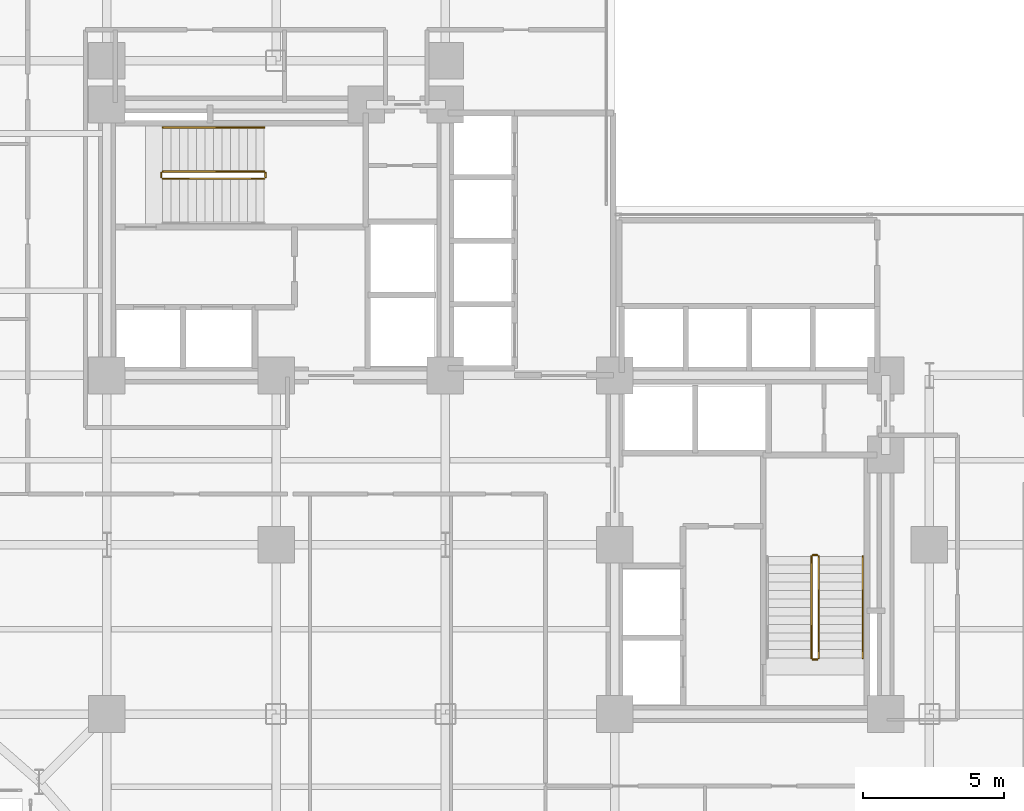
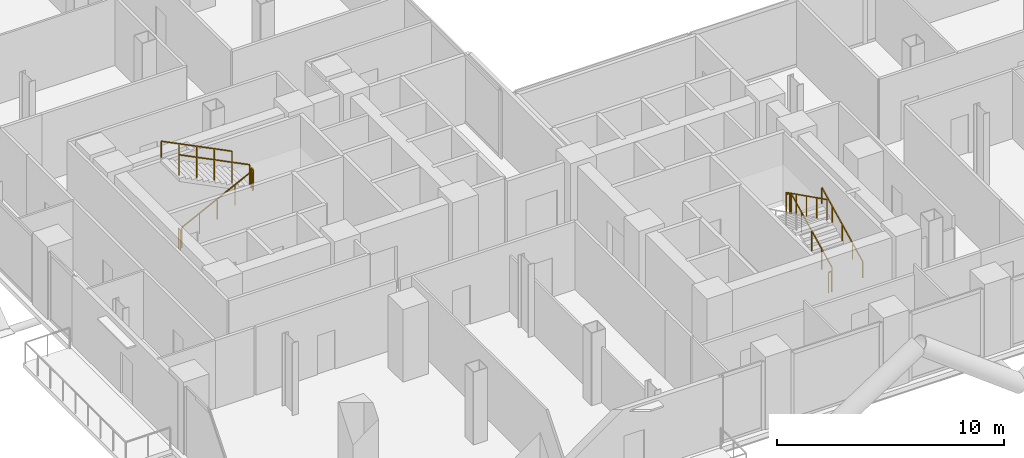
# One storey, part 25 of 25: 10 railings.
"""IFC4 building model written with IfcOpenShell, lengths in metres."""

from ifc_helpers import new_model, si_unit, direction, frame, origin, origin_2d, place, context, subcontext, project, spatial, rectangle, extrude, material, type_object, element, save


model = new_model("IFC4")

# Units and contexts
model_context = context("Model", 3, precision=1e-05, world=origin(), true_north=direction((0.0, 1.0)))
body_context = subcontext(model_context, "Body", "Model", "MODEL_VIEW")
ifc_project = project(units=[si_unit("LENGTHUNIT", "METRE"), si_unit("AREAUNIT", "SQUARE_METRE"), si_unit("VOLUMEUNIT", "CUBIC_METRE"), si_unit("PLANEANGLEUNIT", "RADIAN"), si_unit("MASSUNIT", "GRAM", prefix="KILO"), si_unit("THERMODYNAMICTEMPERATUREUNIT", "KELVIN"), si_unit("POWERUNIT", "WATT")], contexts=[model_context])

# Site, building, storey
site_placement = place(None, origin())
site = spatial("IfcSite", under=ifc_project, at=site_placement, CompositionType="ELEMENT")
building_placement = place(site_placement, origin())
building = spatial("IfcBuilding", under=site, at=building_placement, Name="Svarakhadi Broadcast Tower", CompositionType="ELEMENT")
storey_placement = place(building_placement, frame((0.0, 0.0, 36.300048828125)))
storey = spatial("IfcBuildingStorey", under=building, at=storey_placement, Name="L07", CompositionType="ELEMENT", Elevation=36.300048828125)

# Railings
ifc_material = material(Name="Anodised Bronze Aluminium AA 6063-T6", Category="aluminium")
railing_type_1 = type_object("IfcRailingType", Name="Guard_Stair_GR01", PredefinedType="GUARDRAIL", material=ifc_material)
railing_1_placement = place(storey_placement, frame((7.97998046875, 24.969970703125, 0.14990234375)))
element("IfcRailing", 1, at=railing_1_placement, inside=storey, type_object=railing_type_1, Name="L07 ST-01 stair guard 1", PredefinedType="GUARDRAIL", context=body_context, shape_type="SweptSolid", body=[
    extrude(rectangle(XDim=0.048095703125, YDim=0.048095703125, at=origin_2d()), frame((0.0, 0.0, 1.09619140625), z_axis=(0.894427191, 0.0, 0.4472135955), x_axis=(0.0, 1.0, 0.0)), (0.0, 0.0, 1.0), 4.025146484375),
    extrude(rectangle(XDim=0.0419921875, YDim=0.0419921875, at=origin_2d()), origin(), (0.0, 0.0, 1.0), 1.072021484375),
    extrude(rectangle(XDim=0.0419921875, YDim=0.0419921875, at=origin_2d()), frame((0.89990234375, 0.0, 0.449951171875)), (0.0, 0.0, 1.0), 1.072021484375),
    extrude(rectangle(XDim=0.0419921875, YDim=0.0419921875, at=origin_2d()), frame((1.800048828125, 0.0, 0.89990234375)), (0.0, 0.0, 1.0), 1.072021484375),
    extrude(rectangle(XDim=0.0419921875, YDim=0.0419921875, at=origin_2d()), frame((2.7001953125, 0.0, 1.35009765625)), (0.0, 0.0, 1.0), 1.072021484375),
    extrude(rectangle(XDim=0.0419921875, YDim=0.0419921875, at=origin_2d()), frame((3.60009765625, 0.0, 1.800048828125)), (0.0, 0.0, 1.0), 1.072021484375),
])
railing_2_placement = place(storey_placement, frame((11.6298828125, 25.02001953125, 1.949951171875)))
element("IfcRailing", 2, at=railing_2_placement, inside=storey, type_object=railing_type_1, Name="L07 ST-01 stair guard 2", PredefinedType="GUARDRAIL", context=body_context, shape_type="SweptSolid", body=[
    extrude(rectangle(XDim=0.048095703125, YDim=0.048095703125, at=origin_2d()), frame((0.0, 0.0, 1.09619140625), z_axis=(0.0, 1.0, 0.0), x_axis=(-1.0, 0.0, 0.0)), (0.0, 0.0, 1.0), 0.159912109375),
    extrude(rectangle(XDim=0.0419921875, YDim=0.0419921875, at=origin_2d()), origin(), (0.0, 0.0, 1.0), 1.072021484375),
    extrude(rectangle(XDim=0.0419921875, YDim=0.0419921875, at=origin_2d()), frame((0.0, 0.159912109375, 0.0)), (0.0, 0.0, 1.0), 1.072021484375),
])
railing_3_placement = place(storey_placement, frame((11.580078125, 25.22998046875, 2.099853515625)))
element("IfcRailing", 3, at=railing_3_placement, inside=storey, type_object=railing_type_1, Name="L07 ST-01 stair guard 3", PredefinedType="GUARDRAIL", context=body_context, shape_type="SweptSolid", body=[
    extrude(rectangle(XDim=0.048095703125, YDim=0.048095703125, at=origin_2d()), frame((0.0, 0.0, 1.09619140625), z_axis=(-0.894427191, 0.0, 0.4472135955), x_axis=(0.0, -1.0, 0.0)), (0.0, 0.0, 1.0), 4.025146484375),
    extrude(rectangle(XDim=0.0419921875, YDim=0.0419921875, at=origin_2d()), origin(), (0.0, 0.0, 1.0), 1.072021484375),
    extrude(rectangle(XDim=0.0419921875, YDim=0.0419921875, at=origin_2d()), frame((-0.89990234375, 0.0, 0.449951171875)), (0.0, 0.0, 1.0), 1.072021484375),
    extrude(rectangle(XDim=0.0419921875, YDim=0.0419921875, at=origin_2d()), frame((-1.800048828125, 0.0, 0.89990234375)), (0.0, 0.0, 1.0), 1.072021484375),
    extrude(rectangle(XDim=0.0419921875, YDim=0.0419921875, at=origin_2d()), frame((-2.7001953125, 0.0, 1.35009765625)), (0.0, 0.0, 1.0), 1.072021484375),
    extrude(rectangle(XDim=0.0419921875, YDim=0.0419921875, at=origin_2d()), frame((-3.60009765625, 0.0, 1.800048828125)), (0.0, 0.0, 1.0), 1.072021484375),
])
railing_4_placement = place(storey_placement, frame((7.929931640625, 25.02001953125, 0.0)))
element("IfcRailing", 4, at=railing_4_placement, inside=storey, type_object=railing_type_1, Name="L07 ST-01 stair guard 4", PredefinedType="GUARDRAIL", context=body_context, shape_type="SweptSolid", body=[
    extrude(rectangle(XDim=0.048095703125, YDim=0.048095703125, at=origin_2d()), frame((0.0, 0.0, 1.09619140625), z_axis=(0.0, 1.0, 0.0), x_axis=(-1.0, 0.0, 0.0)), (0.0, 0.0, 1.0), 0.159912109375),
    extrude(rectangle(XDim=0.0419921875, YDim=0.0419921875, at=origin_2d()), origin(), (0.0, 0.0, 1.0), 1.072021484375),
    extrude(rectangle(XDim=0.0419921875, YDim=0.0419921875, at=origin_2d()), frame((0.0, 0.159912109375, 0.0)), (0.0, 0.0, 1.0), 1.072021484375),
])
railing_5_placement = place(storey_placement, frame((31.22998046875, 7.97998046875, 0.14990234375)))
element("IfcRailing", 5, at=railing_5_placement, inside=storey, type_object=railing_type_1, Name="L07 ST-02 stair guard 1", PredefinedType="GUARDRAIL", context=body_context, shape_type="SweptSolid", body=[
    extrude(rectangle(XDim=0.048095703125, YDim=0.048095703125, at=origin_2d()), frame((0.0, 0.0, 1.09619140625), z_axis=(0.0, 0.894427191, 0.4472135955), x_axis=(-1.0, 0.0, 0.0)), (0.0, 0.0, 1.0), 4.025146484375),
    extrude(rectangle(XDim=0.0419921875, YDim=0.0419921875, at=origin_2d()), origin(), (0.0, 0.0, 1.0), 1.072021484375),
    extrude(rectangle(XDim=0.0419921875, YDim=0.0419921875, at=origin_2d()), frame((0.0, 0.89990234375, 0.449951171875)), (0.0, 0.0, 1.0), 1.072021484375),
    extrude(rectangle(XDim=0.0419921875, YDim=0.0419921875, at=origin_2d()), frame((0.0, 1.800048828125, 0.89990234375)), (0.0, 0.0, 1.0), 1.072021484375),
    extrude(rectangle(XDim=0.0419921875, YDim=0.0419921875, at=origin_2d()), frame((0.0, 2.7001953125, 1.35009765625)), (0.0, 0.0, 1.0), 1.072021484375),
    extrude(rectangle(XDim=0.0419921875, YDim=0.0419921875, at=origin_2d()), frame((0.0, 3.60009765625, 1.800048828125)), (0.0, 0.0, 1.0), 1.072021484375),
])
railing_6_placement = place(storey_placement, frame((31.179931640625, 11.6298828125, 1.949951171875)))
element("IfcRailing", 6, at=railing_6_placement, inside=storey, type_object=railing_type_1, Name="L07 ST-02 stair guard 2", PredefinedType="GUARDRAIL", context=body_context, shape_type="SweptSolid", body=[
    extrude(rectangle(XDim=0.048095703125, YDim=0.048095703125, at=origin_2d()), frame((0.0, 0.0, 1.09619140625), z_axis=(-1.0, 0.0, 0.0), x_axis=(0.0, -1.0, 0.0)), (0.0, 0.0, 1.0), 0.159912109375),
    extrude(rectangle(XDim=0.0419921875, YDim=0.0419921875, at=origin_2d()), origin(), (0.0, 0.0, 1.0), 1.072021484375),
    extrude(rectangle(XDim=0.0419921875, YDim=0.0419921875, at=origin_2d()), frame((-0.159912109375, 0.0, 0.0)), (0.0, 0.0, 1.0), 1.072021484375),
])
railing_7_placement = place(storey_placement, frame((30.969970703125, 11.580078125, 2.099853515625)))
element("IfcRailing", 7, at=railing_7_placement, inside=storey, type_object=railing_type_1, Name="L07 ST-02 stair guard 3", PredefinedType="GUARDRAIL", context=body_context, shape_type="SweptSolid", body=[
    extrude(rectangle(XDim=0.048095703125, YDim=0.048095703125, at=origin_2d()), frame((0.0, 0.0, 1.09619140625), z_axis=(0.0, -0.894427191, 0.4472135955), x_axis=(1.0, 0.0, 0.0)), (0.0, 0.0, 1.0), 4.025146484375),
    extrude(rectangle(XDim=0.0419921875, YDim=0.0419921875, at=origin_2d()), origin(), (0.0, 0.0, 1.0), 1.072021484375),
    extrude(rectangle(XDim=0.0419921875, YDim=0.0419921875, at=origin_2d()), frame((0.0, -0.89990234375, 0.449951171875)), (0.0, 0.0, 1.0), 1.072021484375),
    extrude(rectangle(XDim=0.0419921875, YDim=0.0419921875, at=origin_2d()), frame((0.0, -1.800048828125, 0.89990234375)), (0.0, 0.0, 1.0), 1.072021484375),
    extrude(rectangle(XDim=0.0419921875, YDim=0.0419921875, at=origin_2d()), frame((0.0, -2.7001953125, 1.35009765625)), (0.0, 0.0, 1.0), 1.072021484375),
    extrude(rectangle(XDim=0.0419921875, YDim=0.0419921875, at=origin_2d()), frame((0.0, -3.60009765625, 1.800048828125)), (0.0, 0.0, 1.0), 1.072021484375),
])
railing_8_placement = place(storey_placement, frame((31.179931640625, 7.929931640625, 0.0)))
element("IfcRailing", 8, at=railing_8_placement, inside=storey, type_object=railing_type_1, Name="L07 ST-02 stair guard 4", PredefinedType="GUARDRAIL", context=body_context, shape_type="SweptSolid", body=[
    extrude(rectangle(XDim=0.048095703125, YDim=0.048095703125, at=origin_2d()), frame((0.0, 0.0, 1.09619140625), z_axis=(-1.0, 0.0, 0.0), x_axis=(0.0, -1.0, 0.0)), (0.0, 0.0, 1.0), 0.159912109375),
    extrude(rectangle(XDim=0.0419921875, YDim=0.0419921875, at=origin_2d()), origin(), (0.0, 0.0, 1.0), 1.072021484375),
    extrude(rectangle(XDim=0.0419921875, YDim=0.0419921875, at=origin_2d()), frame((-0.159912109375, 0.0, 0.0)), (0.0, 0.0, 1.0), 1.072021484375),
])
railing_type_2 = type_object("IfcRailingType", Name="Handrail_Stair_HR01", PredefinedType="HANDRAIL", material=ifc_material)
railing_9_placement = place(storey_placement, frame((11.580078125, 26.7900390625, 2.099853515625)))
element("IfcRailing", 9, at=railing_9_placement, inside=storey, type_object=railing_type_2, Name="L07 ST-01 stair handrail 2", PredefinedType="HANDRAIL", context=body_context, shape_type="SweptSolid", body=[
    extrude(rectangle(XDim=0.048095703125, YDim=0.048095703125, at=origin_2d()), frame((0.0, 0.0, 0.8759765625), z_axis=(-0.894427191, 0.0, 0.4472135955), x_axis=(0.0, -1.0, 0.0)), (0.0, 0.0, 1.0), 4.025146484375),
    extrude(rectangle(XDim=0.0419921875, YDim=0.0419921875, at=origin_2d()), origin(), (0.0, 0.0, 1.0), 0.851806640625),
    extrude(rectangle(XDim=0.0419921875, YDim=0.0419921875, at=origin_2d()), frame((-0.89990234375, 0.0, 0.449951171875)), (0.0, 0.0, 1.0), 0.851806640625),
    extrude(rectangle(XDim=0.0419921875, YDim=0.0419921875, at=origin_2d()), frame((-1.800048828125, 0.0, 0.89990234375)), (0.0, 0.0, 1.0), 0.851806640625),
    extrude(rectangle(XDim=0.0419921875, YDim=0.0419921875, at=origin_2d()), frame((-2.7001953125, 0.0, 1.35009765625)), (0.0, 0.0, 1.0), 0.851806640625),
    extrude(rectangle(XDim=0.0419921875, YDim=0.0419921875, at=origin_2d()), frame((-3.60009765625, 0.0, 1.800048828125)), (0.0, 0.0, 1.0), 0.851806640625),
])
railing_10_placement = place(storey_placement, frame((32.7900390625, 7.97998046875, 0.14990234375)))
element("IfcRailing", 10, at=railing_10_placement, inside=storey, type_object=railing_type_2, Name="L07 ST-02 stair handrail 1", PredefinedType="HANDRAIL", context=body_context, shape_type="SweptSolid", body=[
    extrude(rectangle(XDim=0.048095703125, YDim=0.048095703125, at=origin_2d()), frame((0.0, 0.0, 0.8759765625), z_axis=(0.0, 0.894427191, 0.4472135955), x_axis=(-1.0, 0.0, 0.0)), (0.0, 0.0, 1.0), 4.025146484375),
    extrude(rectangle(XDim=0.0419921875, YDim=0.0419921875, at=origin_2d()), origin(), (0.0, 0.0, 1.0), 0.851806640625),
    extrude(rectangle(XDim=0.0419921875, YDim=0.0419921875, at=origin_2d()), frame((0.0, 0.89990234375, 0.449951171875)), (0.0, 0.0, 1.0), 0.851806640625),
    extrude(rectangle(XDim=0.0419921875, YDim=0.0419921875, at=origin_2d()), frame((0.0, 1.800048828125, 0.89990234375)), (0.0, 0.0, 1.0), 0.851806640625),
    extrude(rectangle(XDim=0.0419921875, YDim=0.0419921875, at=origin_2d()), frame((0.0, 2.7001953125, 1.35009765625)), (0.0, 0.0, 1.0), 0.851806640625),
    extrude(rectangle(XDim=0.0419921875, YDim=0.0419921875, at=origin_2d()), frame((0.0, 3.60009765625, 1.800048828125)), (0.0, 0.0, 1.0), 0.851806640625),
])

save(model, "model.ifc")
